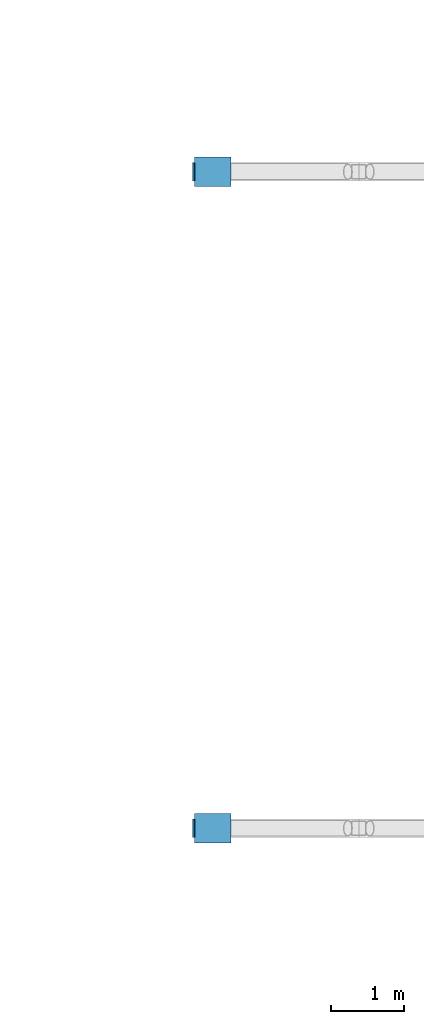
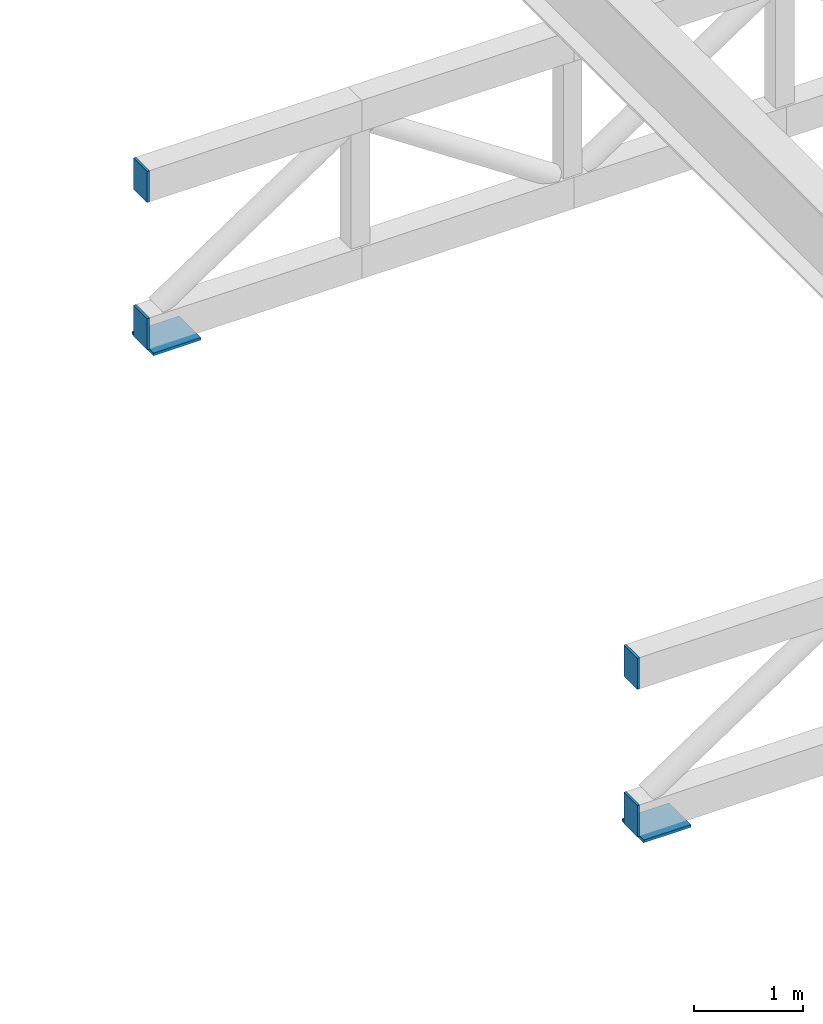
# One storey, part 17 of 20: 6 discrete accessories.
"""IFC4 building model written with IfcOpenShell, lengths in metres."""

from ifc_helpers import new_model, si_unit, direction, frame, origin, origin_2d, place, context, subcontext, project, spatial, rectangle, extrude, material, material_profile, profile_set, type_object, element, save


model = new_model("IFC4")

# Units and contexts
model_context = context("Model", 3, precision=1e-05, world=origin(), true_north=direction((0.0, 1.0)))
body_context = subcontext(model_context, "Body", "Model", "MODEL_VIEW")
ifc_project = project(units=[si_unit("LENGTHUNIT", "METRE"), si_unit("AREAUNIT", "SQUARE_METRE"), si_unit("VOLUMEUNIT", "CUBIC_METRE"), si_unit("PLANEANGLEUNIT", "RADIAN"), si_unit("MASSUNIT", "GRAM", prefix="KILO")], contexts=[model_context])

# Site, building, storey
site_placement = place(None, origin())
site = spatial("IfcSite", under=ifc_project, at=site_placement, CompositionType="ELEMENT")
building_placement = place(site_placement, origin())
building = spatial("IfcBuilding", under=site, at=building_placement, Name="Firuza Court", CompositionType="ELEMENT")
storey_placement = place(building_placement, frame((0.0, 0.0, 29.0)))
storey = spatial("IfcBuildingStorey", under=building, at=storey_placement, Name="L05", CompositionType="ELEMENT", Elevation=29.0)

# Discrete accessories
ifc_material_1 = material(Name="Steel S355", Category="steel")
discrete_accessory_type_1 = type_object("IfcDiscreteAccessoryType", Name="CAST-IN PLATE 500X400", PredefinedType="ANCHORPLATE", material=ifc_material_1)
for number, where, z_axis, x_axis, name in (
    (1, (108.25, 31.5, 0.97021484375), (0.0, 0.0, 1.0), (1.0, 0.0, 0.0), "Truss 1 cast-in plate"),
    (2, (108.25, 40.5, 0.97021484375), (0.0, 0.0, 1.0), (1.0, 0.0, 0.0), "Truss 2 cast-in plate"),
):
    element("IfcDiscreteAccessory", number, at=place(storey_placement, frame(where, z_axis=z_axis, x_axis=x_axis)), inside=storey, type_object=discrete_accessory_type_1, Name=name, PredefinedType="ANCHORPLATE", context=body_context, shape_type="SweptSolid", body=[
        extrude(rectangle(XDim=0.5, YDim=0.39990234375, at=origin_2d()), origin(), (0.0, 0.0, 1.0), 0.030029296875),
    ])
ifc_material_2 = material(Name="Steel S355", Category="steel")
ifc_material_profile = material_profile(ifc_material_2, rectangle(XDim=0.25, YDim=0.35009765625, at=origin_2d()), Name="PL 250X350")
ifc_profile_set = profile_set([ifc_material_profile], Name="Steel S355")
discrete_accessory_type_2 = type_object("IfcDiscreteAccessoryType", Name="STEEL BOX END PLATE 350X250", PredefinedType="NOTDEFINED", material=ifc_profile_set)
for number, where, z_axis, x_axis, name in (
    (3, (107.97509765625, 31.5, 1.175048828125), (1.0, 0.0, 0.0), (0.0, 1.0, 0.0), "Truss 1 chord end plate"),
    (4, (107.97509765625, 31.5, 2.824951171875), (1.0, 0.0, 0.0), (0.0, 1.0, 0.0), "Truss 1 chord end plate"),
    (5, (107.97509765625, 40.5, 1.175048828125), (1.0, 0.0, 0.0), (0.0, 1.0, 0.0), "Truss 2 chord end plate"),
    (6, (107.97509765625, 40.5, 2.824951171875), (1.0, 0.0, 0.0), (0.0, 1.0, 0.0), "Truss 2 chord end plate"),
):
    element("IfcDiscreteAccessory", number, at=place(storey_placement, frame(where, z_axis=z_axis, x_axis=x_axis)), inside=storey, type_object=discrete_accessory_type_2, Name=name, PredefinedType="NOTDEFINED", context=body_context, shape_type="SweptSolid", body=[
        extrude(rectangle(XDim=0.25, YDim=0.35009765625, at=origin_2d()), origin(), (0.0, 0.0, 1.0), 0.02490234375),
    ])

save(model, "model.ifc")
